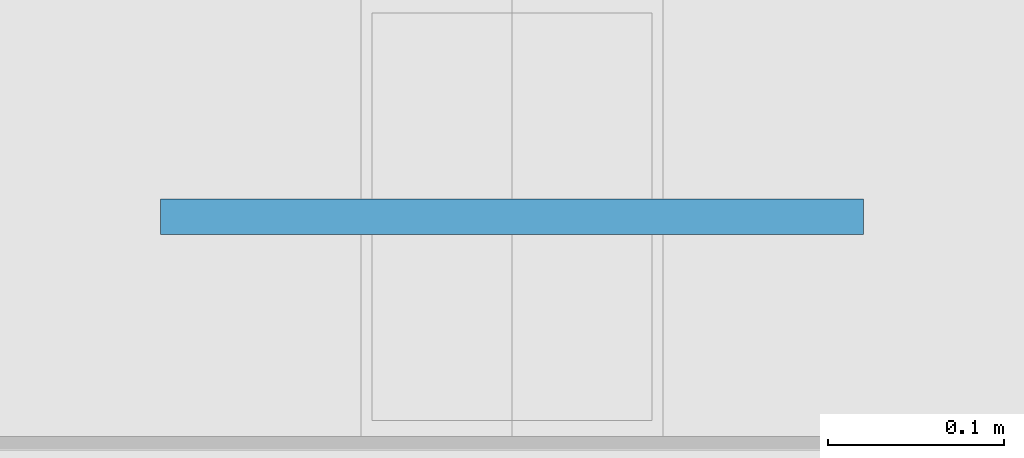
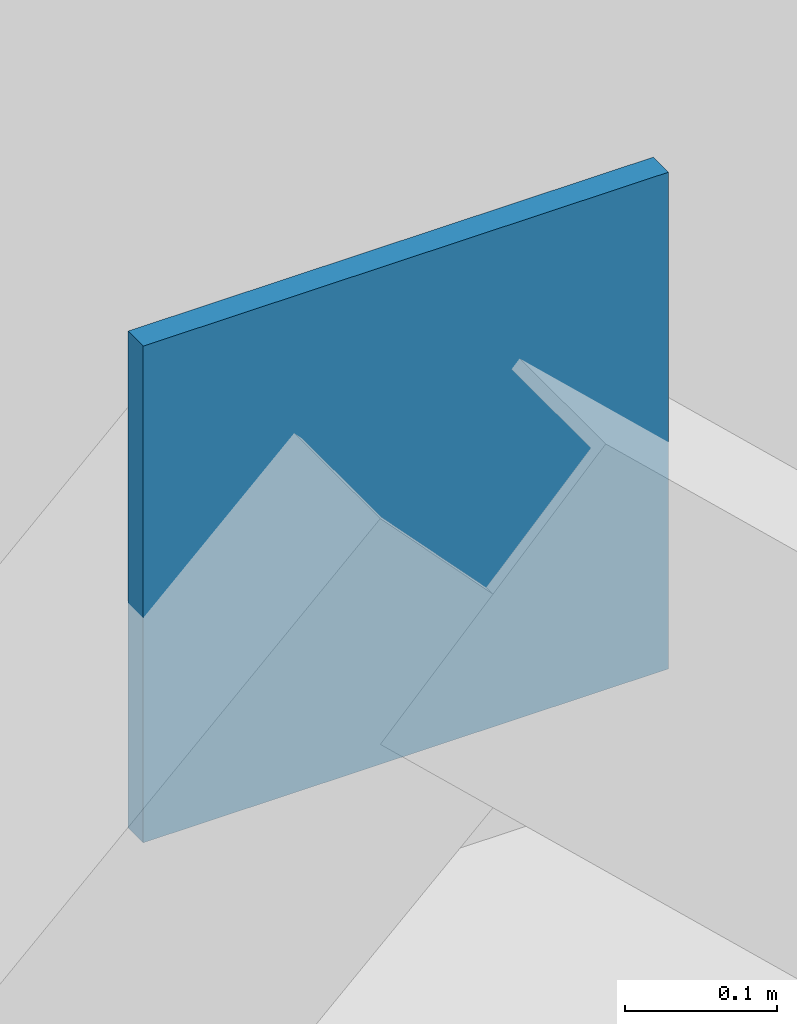
# One storey, part 63 of 130: 1 plate.
"""IFC4 building model written with IfcOpenShell, lengths in metres."""

from ifc_helpers import new_model, si_unit, direction, frame, origin, origin_2d, place, context, subcontext, project, spatial, rectangle, extrude, material, layer, layer_set, type_object, element, save


model = new_model("IFC4")

# Units and contexts
model_context = context("Model", 3, precision=1e-05, world=origin(), true_north=direction((0.0, 1.0)))
body_context = subcontext(model_context, "Body", "Model", "MODEL_VIEW")
ifc_project = project(units=[si_unit("LENGTHUNIT", "METRE"), si_unit("AREAUNIT", "SQUARE_METRE"), si_unit("VOLUMEUNIT", "CUBIC_METRE"), si_unit("PLANEANGLEUNIT", "RADIAN"), si_unit("MASSUNIT", "GRAM", prefix="KILO"), si_unit("THERMODYNAMICTEMPERATUREUNIT", "KELVIN"), si_unit("POWERUNIT", "WATT")], contexts=[model_context])

# Site, building, storey
site_placement = place(None, origin())
site = spatial("IfcSite", under=ifc_project, at=site_placement, CompositionType="ELEMENT")
building_placement = place(site_placement, origin())
building = spatial("IfcBuilding", under=site, at=building_placement, Name="Tallowbark Science Centre", CompositionType="ELEMENT")
storey_placement = place(building_placement, frame((0.0, 0.0, 5.39990234375)))
storey = spatial("IfcBuildingStorey", under=building, at=storey_placement, Name="L01", CompositionType="ELEMENT", Elevation=5.39990234375)

# Plate
ifc_material = material(Name="Structural Steel Grade 300PLUS (300 MPa)", Category="steel")
ifc_layer = layer(ifc_material, 0.02001953125)
ifc_layer_set = layer_set([ifc_layer], Name="Structural Steel Grade 300PLUS (300 MPa)")
plate_type = type_object("IfcPlateType", Name="PLT-GUS-20", PredefinedType="SHEET", material=ifc_layer_set)
plate_placement = place(storey_placement, frame((117.0, 0.0, 4.050048828125), z_axis=(0.0, 0.0, 1.0), x_axis=(1.0, 0.0, 0.0)))
element("IfcPlate", 1, at=plate_placement, inside=storey, type_object=plate_type, Name="Chevron Brace Apex Gusset CBF-THT-S1 L01", PredefinedType="SHEET", context=body_context, shape_type="SweptSolid", body=[
    extrude(rectangle(XDim=0.39990234375, YDim=0.02001953125, at=origin_2d()), origin(), (0.0, 0.0, 1.0), 0.39990234375),
])

save(model, "model.ifc")
